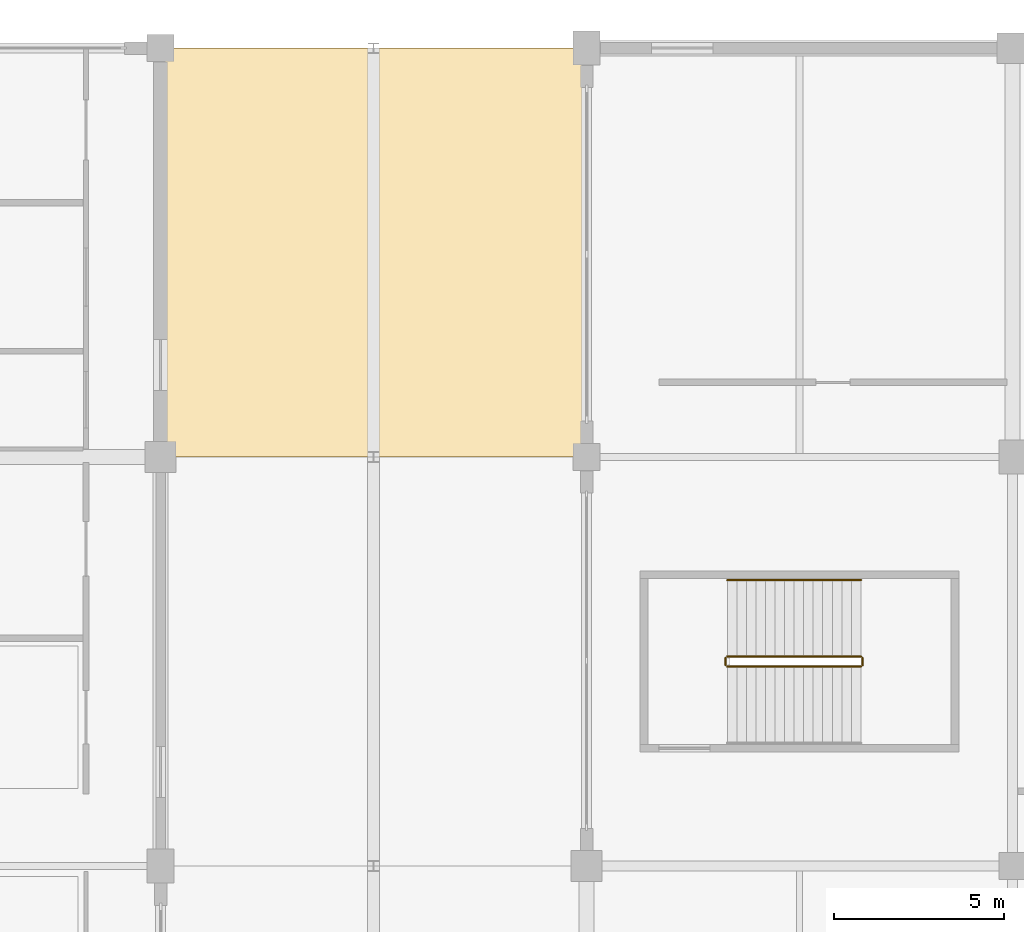
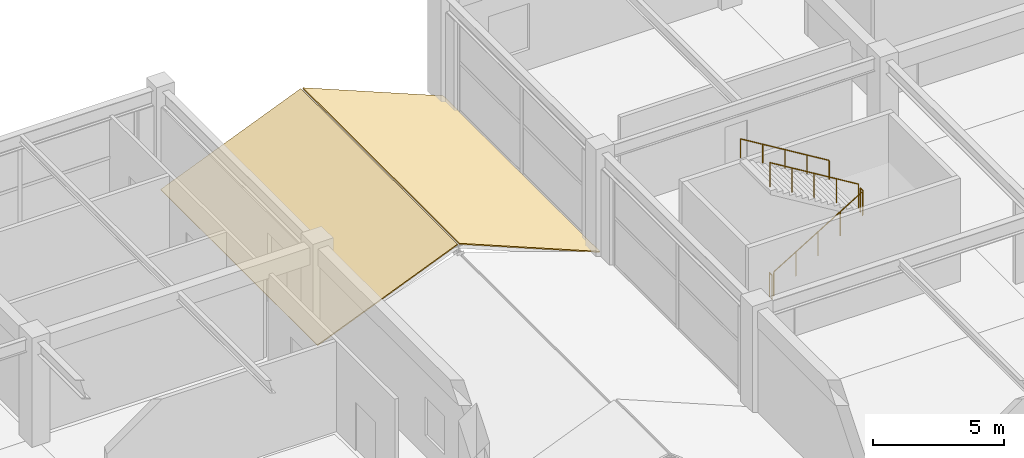
# One storey, part 112 of 116: 5 railings, 2 coverings.
"""IFC4 building model written with IfcOpenShell, lengths in metres."""

from ifc_helpers import new_model, si_unit, direction, frame, origin, origin_2d, place, context, subcontext, project, spatial, polyline, circle, outline, extrude, material, layer, layer_set, type_object, element, save


model = new_model("IFC4")

# Units and contexts
model_context = context("Model", 3, precision=1e-05, world=origin(), true_north=direction((0.0, 1.0)))
body_context = subcontext(model_context, "Body", "Model", "MODEL_VIEW")
ifc_project = project(units=[si_unit("LENGTHUNIT", "METRE"), si_unit("AREAUNIT", "SQUARE_METRE"), si_unit("VOLUMEUNIT", "CUBIC_METRE"), si_unit("PLANEANGLEUNIT", "RADIAN"), si_unit("MASSUNIT", "GRAM", prefix="KILO")], contexts=[model_context])

# Site, building, storey
site_placement = place(None, origin())
site = spatial("IfcSite", under=ifc_project, at=site_placement, CompositionType="ELEMENT")
building_placement = place(site_placement, origin())
building = spatial("IfcBuilding", under=site, at=building_placement, Name="Kazenohara Klinker Stadium", CompositionType="ELEMENT")
storey_placement = place(building_placement, frame((0.0, 0.0, 10.199951171875)))
storey = spatial("IfcBuildingStorey", under=building, at=storey_placement, Name="L02", CompositionType="ELEMENT", Elevation=10.199951171875)

# Coverings
ifc_material_1 = material(Name="Insulated standing-seam copper roofing", Category="metal")
ifc_layer_1 = layer(ifc_material_1, 0.050048828125)
ifc_layer_set_1 = layer_set([ifc_layer_1], Name="Insulated standing-seam copper roofing")
covering_type = type_object("IfcCoveringType", Name="COV-ROOF-01", PredefinedType="ROOFING", material=ifc_layer_set_1)
for number, where, z_axis, x_axis, name in (
    (1, (36.5, 156.0, -0.030029296875), (-0.380383442935, 0.0, 0.924828868678), (0.924828868678, 0.0, 0.380383442935), "Standing-seam copper stepped wing roofing L02-A 4/P"),
    (2, (42.800048828125, 156.0, 2.52001953125), (0.380383442935, 0.0, 0.924828868678), (0.924828868678, 0.0, -0.380383442935), "Standing-seam copper stepped wing roofing L02-B 4/P"),
):
    element("IfcCovering", number, at=place(storey_placement, frame(where, z_axis=z_axis, x_axis=x_axis)), inside=storey, type_object=covering_type, Name=name, PredefinedType="ROOFING", context=body_context, shape_type="SweptSolid", body=[
        extrude(outline(polyline([(0.0, 0.0), (6.703890181040846, 0.0), (6.703890181040846, 12.0), (0.0, 12.0), (0.0, 0.0)])), origin(), (0.0, 0.0, -1.0), 0.050048828125),
    ])

# Railings
ifc_material_2 = material(Name="Brushed stainless steel 304 handrail", Category="steel")
ifc_layer_2 = layer(ifc_material_2, 0.050048828125)
ifc_layer_set_2 = layer_set([ifc_layer_2], Name="Brushed stainless steel 304 handrail")
railing_type_1 = type_object("IfcRailingType", Name="RL-HND-900", PredefinedType="HANDRAIL", material=ifc_layer_set_2)
railing_1_placement = place(storey_placement, frame((57.050048828125, 152.389892578125, 2.719970703125)))
element("IfcRailing", 3, at=railing_1_placement, inside=storey, type_object=railing_type_1, Name="L02 ST08 stair handrail 2", PredefinedType="HANDRAIL", context=body_context, shape_type="SweptSolid", body=[
    extrude(circle(Radius=0.02392578125, at=origin_2d()), frame((0.0, 0.0, 0.8759765625), z_axis=(-0.854784984964, 0.0, 0.518982301701), x_axis=(0.0, -1.0, 0.0)), (0.0, 0.0, 1.0), 4.586181640625),
    extrude(circle(Radius=0.02099609375, at=origin_2d()), origin(), (0.0, 0.0, 1.0), 0.851806640625),
    extrude(circle(Radius=0.02099609375, at=origin_2d()), frame((-0.97998046875, 0.0, 0.594970703125)), (0.0, 0.0, 1.0), 0.851806640625),
    extrude(circle(Radius=0.02099609375, at=origin_2d()), frame((-1.9599609375, 0.0, 1.18994140625)), (0.0, 0.0, 1.0), 0.851806640625),
    extrude(circle(Radius=0.02099609375, at=origin_2d()), frame((-2.940185546875, 0.0, 1.78515625)), (0.0, 0.0, 1.0), 0.851806640625),
    extrude(circle(Radius=0.02099609375, at=origin_2d()), frame((-3.920166015625, 0.0, 2.380126953125)), (0.0, 0.0, 1.0), 0.851806640625),
])
ifc_material_3 = material(Name="Painted steel stairwell guardrail", Category="steel")
ifc_layer_3 = layer(ifc_material_3, 0.06005859375)
ifc_layer_set_3 = layer_set([ifc_layer_3], Name="Painted steel stairwell guardrail")
railing_type_2 = type_object("IfcRailingType", Name="RL-STG-1120", PredefinedType="GUARDRAIL", material=ifc_layer_set_3)
railing_2_placement = place(storey_placement, frame((53.1298828125, 149.85009765625, 0.170166015625)))
element("IfcRailing", 4, at=railing_2_placement, inside=storey, type_object=railing_type_2, Name="L02 ST08 stair guard 1", PredefinedType="GUARDRAIL", context=body_context, shape_type="SweptSolid", body=[
    extrude(circle(Radius=0.02392578125, at=origin_2d()), frame((0.0, 0.0, 1.1259765625), z_axis=(0.854808600491, 0.0, 0.518943403973), x_axis=(0.0, 1.0, 0.0)), (0.0, 0.0, 1.0), 4.5859375),
    extrude(circle(Radius=0.02099609375, at=origin_2d()), origin(), (0.0, 0.0, 1.0), 1.101806640625),
    extrude(circle(Radius=0.02099609375, at=origin_2d()), frame((0.97998046875, 0.0, 0.594970703125)), (0.0, 0.0, 1.0), 1.101806640625),
    extrude(circle(Radius=0.02099609375, at=origin_2d()), frame((1.9599609375, 0.0, 1.18994140625)), (0.0, 0.0, 1.0), 1.101806640625),
    extrude(circle(Radius=0.02099609375, at=origin_2d()), frame((2.940185546875, 0.0, 1.784912109375)), (0.0, 0.0, 1.0), 1.101806640625),
    extrude(circle(Radius=0.02099609375, at=origin_2d()), frame((3.920166015625, 0.0, 2.3798828125)), (0.0, 0.0, 1.0), 1.101806640625),
])
railing_3_placement = place(storey_placement, frame((57.10009765625, 149.89990234375, 2.550048828125)))
element("IfcRailing", 5, at=railing_3_placement, inside=storey, type_object=railing_type_2, Name="L02 ST08 stair guard 2", PredefinedType="GUARDRAIL", context=body_context, shape_type="SweptSolid", body=[
    extrude(circle(Radius=0.02392578125, at=origin_2d()), frame((0.0, 0.0, 1.1259765625), z_axis=(0.0, 1.0, 0.0), x_axis=(-1.0, 0.0, 0.0)), (0.0, 0.0, 1.0), 0.2001953125),
    extrude(circle(Radius=0.02099609375, at=origin_2d()), origin(), (0.0, 0.0, 1.0), 1.101806640625),
    extrude(circle(Radius=0.02099609375, at=origin_2d()), frame((0.0, 0.2001953125, 0.0)), (0.0, 0.0, 1.0), 1.101806640625),
])
railing_4_placement = place(storey_placement, frame((57.050048828125, 150.14990234375, 2.719970703125)))
element("IfcRailing", 6, at=railing_4_placement, inside=storey, type_object=railing_type_2, Name="L02 ST08 stair guard 3", PredefinedType="GUARDRAIL", context=body_context, shape_type="SweptSolid", body=[
    extrude(circle(Radius=0.02392578125, at=origin_2d()), frame((0.0, 0.0, 1.1259765625), z_axis=(-0.854784984964, 0.0, 0.518982301701), x_axis=(0.0, -1.0, 0.0)), (0.0, 0.0, 1.0), 4.586181640625),
    extrude(circle(Radius=0.02099609375, at=origin_2d()), origin(), (0.0, 0.0, 1.0), 1.101806640625),
    extrude(circle(Radius=0.02099609375, at=origin_2d()), frame((-0.97998046875, 0.0, 0.594970703125)), (0.0, 0.0, 1.0), 1.101806640625),
    extrude(circle(Radius=0.02099609375, at=origin_2d()), frame((-1.9599609375, 0.0, 1.18994140625)), (0.0, 0.0, 1.0), 1.101806640625),
    extrude(circle(Radius=0.02099609375, at=origin_2d()), frame((-2.940185546875, 0.0, 1.78515625)), (0.0, 0.0, 1.0), 1.101806640625),
    extrude(circle(Radius=0.02099609375, at=origin_2d()), frame((-3.920166015625, 0.0, 2.380126953125)), (0.0, 0.0, 1.0), 1.101806640625),
])
railing_5_placement = place(storey_placement, frame((53.080078125, 149.89990234375, 0.0)))
element("IfcRailing", 7, at=railing_5_placement, inside=storey, type_object=railing_type_2, Name="L02 ST08 stair guard 4", PredefinedType="GUARDRAIL", context=body_context, shape_type="SweptSolid", body=[
    extrude(circle(Radius=0.02392578125, at=origin_2d()), frame((0.0, 0.0, 1.1259765625), z_axis=(0.0, 1.0, 0.0), x_axis=(-1.0, 0.0, 0.0)), (0.0, 0.0, 1.0), 0.2001953125),
    extrude(circle(Radius=0.02099609375, at=origin_2d()), origin(), (0.0, 0.0, 1.0), 1.101806640625),
    extrude(circle(Radius=0.02099609375, at=origin_2d()), frame((0.0, 0.2001953125, 0.0)), (0.0, 0.0, 1.0), 1.101806640625),
])

save(model, "model.ifc")
